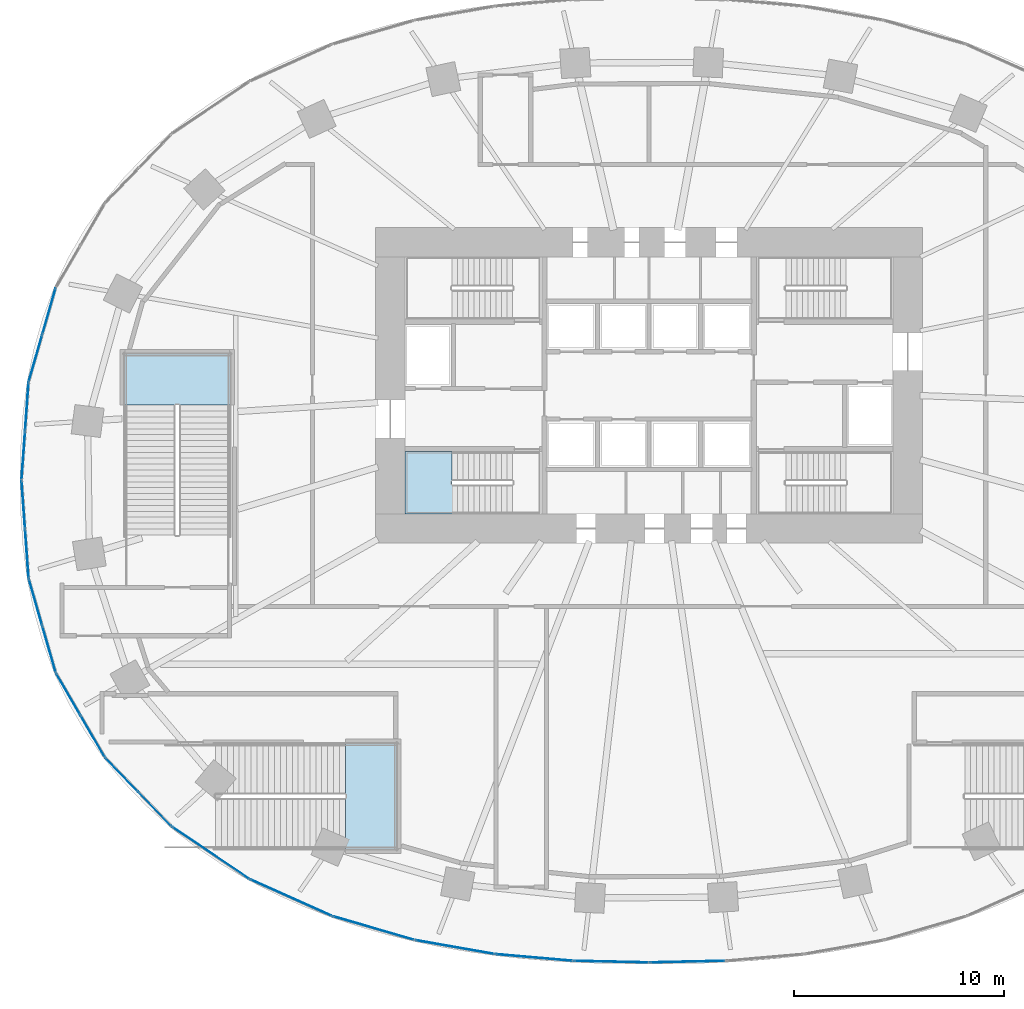
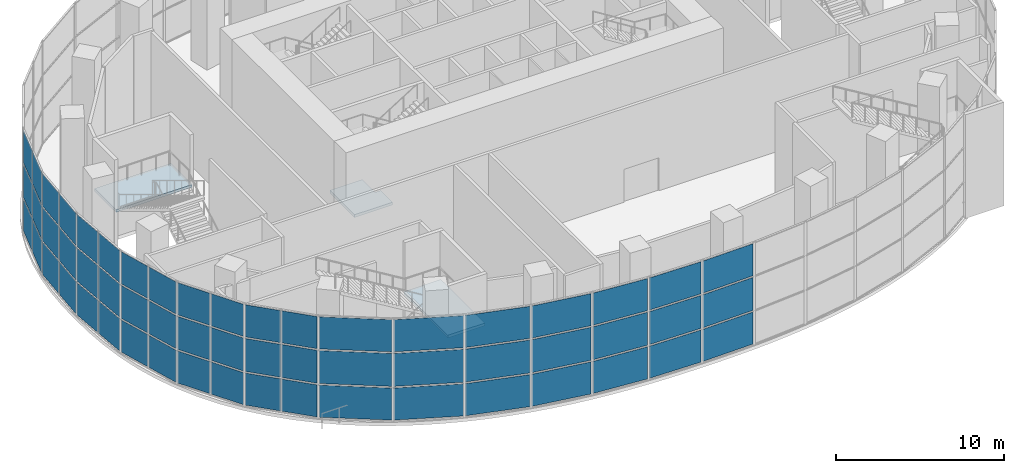
# One storey, part 10 of 22: 57 plates, 3 slabs, 16 elements without a shape of their own.
"""IFC4 building model written with IfcOpenShell, lengths in metres."""

from ifc_helpers import new_model, si_unit, direction, frame, origin, origin_2d, place, context, subcontext, project, spatial, polyline, rectangle, outline, extrude, material, layer, layer_set, type_object, element, aggregate, save


model = new_model("IFC4")

# Units and contexts
model_context = context("Model", 3, precision=1e-05, world=origin(), true_north=direction((0.0, 1.0)))
body_context = subcontext(model_context, "Body", "Model", "MODEL_VIEW")
ifc_project = project(units=[si_unit("LENGTHUNIT", "METRE"), si_unit("AREAUNIT", "SQUARE_METRE"), si_unit("VOLUMEUNIT", "CUBIC_METRE"), si_unit("PLANEANGLEUNIT", "RADIAN"), si_unit("MASSUNIT", "GRAM", prefix="KILO")], contexts=[model_context])

# Site, building, storey
site_placement = place(None, origin())
site = spatial("IfcSite", under=ifc_project, at=site_placement, CompositionType="ELEMENT")
building_placement = place(site_placement, origin())
building = spatial("IfcBuilding", under=site, at=building_placement, Name="Rubra Terraces Tower", CompositionType="ELEMENT")
storey_placement = place(building_placement, frame((0.0, 0.0, 7.199951171875)))
storey = spatial("IfcBuildingStorey", under=building, at=storey_placement, Name="L01", CompositionType="ELEMENT", Elevation=7.199951171875)

# Stair, slab
ifc_material_1 = material(Name="Concrete C40", Category="concrete")
stair_type_1 = type_object("IfcStairType", Name="Core stair 1400", PredefinedType="HALF_TURN_STAIR", material=ifc_material_1)
stair_1_placement = place(storey_placement, origin())
stair_1 = element("IfcStair", 1, at=stair_1_placement, inside=storey, type_object=stair_type_1, Name="L01 Exit stair S1", PredefinedType="HALF_TURN_STAIR")
ifc_layer_1 = layer(ifc_material_1, 0.199951171875)
ifc_layer_set_1 = layer_set([ifc_layer_1], Name="Concrete C40")
slab_type_1 = type_object("IfcSlabType", Name="Core stair landing 200", PredefinedType="LANDING", material=ifc_layer_set_1)
slab_1_placement = place(storey_placement, frame((0.0, 0.0, 1.75)))
slab_1 = element("IfcSlab", 2, at=slab_1_placement, type_object=slab_type_1, Name="S1 landing 1", PredefinedType="LANDING", context=body_context, shape_type="SweptSolid", body=[
    extrude(outline(polyline([(-8.97998046875, -0.199951171875), (-8.97998046875, -1.60009765625), (-9.360107421875, -1.60009765625), (-9.3798828125, -1.60009765625), (-11.60009765625, -1.60009765625), (-11.60009765625, 1.35009765625), (-9.3798828125, 1.35009765625), (-9.35791015625, 1.35009765625), (-9.35791015625, -0.050048828125), (-9.360107421875, -0.050048828125), (-9.360107421875, -0.199951171875), (-8.97998046875, -0.199951171875)])), origin(), (0.0, 0.0, 1.0), 0.199951171875),
])
aggregate(stair_1, [slab_1])

# Curtain wall, plates
ifc_material_2 = material(Name="Aluminium and glass", Category="aluminium")
curtain_wall_type = type_object("IfcCurtainWallType", Name="Curtain wall Podium glazing", PredefinedType="NOTDEFINED", material=ifc_material_2)
curtain_wall_1_placement = place(storey_placement, origin())
curtain_wall_1 = element("IfcCurtainWall", 3, at=curtain_wall_1_placement, inside=storey, type_object=curtain_wall_type, Name="L01 glazing bay 19", PredefinedType="NOTDEFINED")
ifc_material_3 = material(Name="Clear glass, laminated", Category="glass")
ifc_layer_2 = layer(ifc_material_3, 0.028076171875)
ifc_layer_set_2 = layer_set([ifc_layer_2], Name="Clear glass, laminated")
plate_type = type_object("IfcPlateType", Name="Podium glazing glass panel 28", PredefinedType="CURTAIN_PANEL", material=ifc_layer_set_2)
plate_1_placement = place(storey_placement, frame((-28.523681640625, 8.024169921875, 0.1201171875), z_axis=(0.0, 0.0, 1.0), x_axis=(-0.276383811798, -0.961047339404, 0.0)))
plate_1 = element("IfcPlate", 4, at=plate_1_placement, type_object=plate_type, Name="CW1 panel 1.1", PredefinedType="CURTAIN_PANEL", context=body_context, shape_type="SweptSolid", body=[
    extrude(rectangle(XDim=2.252685546875, YDim=0.028076171875, at=origin_2d()), origin(), (0.0, 0.0, 1.0), 2.336669921875),
])
plate_2_placement = place(storey_placement, frame((-28.523681640625, 8.024169921875, 2.576904296875), z_axis=(0.0, 0.0, 1.0), x_axis=(-0.276383811798, -0.961047339404, 0.0)))
plate_2 = element("IfcPlate", 5, at=plate_2_placement, type_object=plate_type, Name="CW1 panel 1.2", PredefinedType="CURTAIN_PANEL", context=body_context, shape_type="SweptSolid", body=[
    extrude(rectangle(XDim=2.252685546875, YDim=0.028076171875, at=origin_2d()), origin(), (0.0, 0.0, 1.0), 2.396484375),
])
plate_3_placement = place(storey_placement, frame((-28.523681640625, 8.024169921875, 5.09326171875), z_axis=(0.0, 0.0, 1.0), x_axis=(-0.276383811798, -0.961047339404, 0.0)))
plate_3 = element("IfcPlate", 6, at=plate_3_placement, type_object=plate_type, Name="CW1 panel 1.3", PredefinedType="CURTAIN_PANEL", context=body_context, shape_type="SweptSolid", body=[
    extrude(rectangle(XDim=2.252685546875, YDim=0.028076171875, at=origin_2d()), origin(), (0.0, 0.0, 1.0), 2.336669921875),
])
plate_4_placement = place(storey_placement, frame((-29.1630859375, 5.801513671875, 0.1201171875), z_axis=(0.0, 0.0, 1.0), x_axis=(-0.276383811798, -0.961047339404, 0.0)))
plate_4 = element("IfcPlate", 7, at=plate_4_placement, type_object=plate_type, Name="CW1 panel 2.1", PredefinedType="CURTAIN_PANEL", context=body_context, shape_type="SweptSolid", body=[
    extrude(rectangle(XDim=2.252685546875, YDim=0.028076171875, at=origin_2d()), origin(), (0.0, 0.0, 1.0), 2.336669921875),
])
plate_5_placement = place(storey_placement, frame((-29.1630859375, 5.801513671875, 2.576904296875), z_axis=(0.0, 0.0, 1.0), x_axis=(-0.276383811798, -0.961047339404, 0.0)))
plate_5 = element("IfcPlate", 8, at=plate_5_placement, type_object=plate_type, Name="CW1 panel 2.2", PredefinedType="CURTAIN_PANEL", context=body_context, shape_type="SweptSolid", body=[
    extrude(rectangle(XDim=2.252685546875, YDim=0.028076171875, at=origin_2d()), origin(), (0.0, 0.0, 1.0), 2.396484375),
])
plate_6_placement = place(storey_placement, frame((-29.1630859375, 5.801513671875, 5.09326171875), z_axis=(0.0, 0.0, 1.0), x_axis=(-0.276383811798, -0.961047339404, 0.0)))
plate_6 = element("IfcPlate", 9, at=plate_6_placement, type_object=plate_type, Name="CW1 panel 2.3", PredefinedType="CURTAIN_PANEL", context=body_context, shape_type="SweptSolid", body=[
    extrude(rectangle(XDim=2.252685546875, YDim=0.028076171875, at=origin_2d()), origin(), (0.0, 0.0, 1.0), 2.336669921875),
])
aggregate(curtain_wall_1, [plate_1, plate_2, plate_3, plate_4, plate_5, plate_6])

curtain_wall_2_placement = place(storey_placement, origin())
curtain_wall_2 = element("IfcCurtainWall", 10, at=curtain_wall_2_placement, inside=storey, type_object=curtain_wall_type, Name="L01 glazing bay 20", PredefinedType="NOTDEFINED")
plate_7_placement = place(storey_placement, frame((-29.573486328125, 3.4912109375, 0.1201171875), z_axis=(0.0, 0.0, 1.0), x_axis=(-0.071792057306, -0.997419621076, 0.0)))
plate_7 = element("IfcPlate", 11, at=plate_7_placement, type_object=plate_type, Name="CW1 panel 1.1", PredefinedType="CURTAIN_PANEL", context=body_context, shape_type="SweptSolid", body=[
    extrude(rectangle(XDim=2.257080078125, YDim=0.028076171875, at=origin_2d()), origin(), (0.0, 0.0, 1.0), 2.336669921875),
])
plate_8_placement = place(storey_placement, frame((-29.573486328125, 3.4912109375, 2.576904296875), z_axis=(0.0, 0.0, 1.0), x_axis=(-0.071792057306, -0.997419621076, 0.0)))
plate_8 = element("IfcPlate", 12, at=plate_8_placement, type_object=plate_type, Name="CW1 panel 1.2", PredefinedType="CURTAIN_PANEL", context=body_context, shape_type="SweptSolid", body=[
    extrude(rectangle(XDim=2.257080078125, YDim=0.028076171875, at=origin_2d()), origin(), (0.0, 0.0, 1.0), 2.396484375),
])
plate_9_placement = place(storey_placement, frame((-29.573486328125, 3.4912109375, 5.09326171875), z_axis=(0.0, 0.0, 1.0), x_axis=(-0.071792057306, -0.997419621076, 0.0)))
plate_9 = element("IfcPlate", 13, at=plate_9_placement, type_object=plate_type, Name="CW1 panel 1.3", PredefinedType="CURTAIN_PANEL", context=body_context, shape_type="SweptSolid", body=[
    extrude(rectangle(XDim=2.257080078125, YDim=0.028076171875, at=origin_2d()), origin(), (0.0, 0.0, 1.0), 2.336669921875),
])
plate_10_placement = place(storey_placement, frame((-29.739990234375, 1.18017578125, 0.1201171875), z_axis=(0.0, 0.0, 1.0), x_axis=(-0.071792057306, -0.997419621076, 0.0)))
plate_10 = element("IfcPlate", 14, at=plate_10_placement, type_object=plate_type, Name="CW1 panel 2.1", PredefinedType="CURTAIN_PANEL", context=body_context, shape_type="SweptSolid", body=[
    extrude(rectangle(XDim=2.257080078125, YDim=0.028076171875, at=origin_2d()), origin(), (0.0, 0.0, 1.0), 2.336669921875),
])
plate_11_placement = place(storey_placement, frame((-29.739990234375, 1.18017578125, 2.576904296875), z_axis=(0.0, 0.0, 1.0), x_axis=(-0.071792057306, -0.997419621076, 0.0)))
plate_11 = element("IfcPlate", 15, at=plate_11_placement, type_object=plate_type, Name="CW1 panel 2.2", PredefinedType="CURTAIN_PANEL", context=body_context, shape_type="SweptSolid", body=[
    extrude(rectangle(XDim=2.257080078125, YDim=0.028076171875, at=origin_2d()), origin(), (0.0, 0.0, 1.0), 2.396484375),
])
plate_12_placement = place(storey_placement, frame((-29.739990234375, 1.18017578125, 5.09326171875), z_axis=(0.0, 0.0, 1.0), x_axis=(-0.071792057306, -0.997419621076, 0.0)))
plate_12 = element("IfcPlate", 16, at=plate_12_placement, type_object=plate_type, Name="CW1 panel 2.3", PredefinedType="CURTAIN_PANEL", context=body_context, shape_type="SweptSolid", body=[
    extrude(rectangle(XDim=2.257080078125, YDim=0.028076171875, at=origin_2d()), origin(), (0.0, 0.0, 1.0), 2.336669921875),
])
aggregate(curtain_wall_2, [plate_7, plate_8, plate_9, plate_10, plate_11, plate_12])

curtain_wall_3_placement = place(storey_placement, origin())
curtain_wall_3 = element("IfcCurtainWall", 17, at=curtain_wall_3_placement, inside=storey, type_object=curtain_wall_type, Name="L01 glazing bay 21", PredefinedType="NOTDEFINED")
plate_13_placement = place(storey_placement, frame((-29.739990234375, -1.18017578125, 0.1201171875), z_axis=(0.0, 0.0, 1.0), x_axis=(0.071792057306, -0.997419621076, 0.0)))
plate_13 = element("IfcPlate", 18, at=plate_13_placement, type_object=plate_type, Name="CW1 panel 1.1", PredefinedType="CURTAIN_PANEL", context=body_context, shape_type="SweptSolid", body=[
    extrude(rectangle(XDim=2.257080078125, YDim=0.028076171875, at=origin_2d()), origin(), (0.0, 0.0, 1.0), 2.336669921875),
])
plate_14_placement = place(storey_placement, frame((-29.739990234375, -1.18017578125, 2.576904296875), z_axis=(0.0, 0.0, 1.0), x_axis=(0.071792057306, -0.997419621076, 0.0)))
plate_14 = element("IfcPlate", 19, at=plate_14_placement, type_object=plate_type, Name="CW1 panel 1.2", PredefinedType="CURTAIN_PANEL", context=body_context, shape_type="SweptSolid", body=[
    extrude(rectangle(XDim=2.257080078125, YDim=0.028076171875, at=origin_2d()), origin(), (0.0, 0.0, 1.0), 2.396484375),
])
plate_15_placement = place(storey_placement, frame((-29.739990234375, -1.18017578125, 5.09326171875), z_axis=(0.0, 0.0, 1.0), x_axis=(0.071792057306, -0.997419621076, 0.0)))
plate_15 = element("IfcPlate", 20, at=plate_15_placement, type_object=plate_type, Name="CW1 panel 1.3", PredefinedType="CURTAIN_PANEL", context=body_context, shape_type="SweptSolid", body=[
    extrude(rectangle(XDim=2.257080078125, YDim=0.028076171875, at=origin_2d()), origin(), (0.0, 0.0, 1.0), 2.336669921875),
])
plate_16_placement = place(storey_placement, frame((-29.573486328125, -3.4912109375, 0.1201171875), z_axis=(0.0, 0.0, 1.0), x_axis=(0.071792057306, -0.997419621076, 0.0)))
plate_16 = element("IfcPlate", 21, at=plate_16_placement, type_object=plate_type, Name="CW1 panel 2.1", PredefinedType="CURTAIN_PANEL", context=body_context, shape_type="SweptSolid", body=[
    extrude(rectangle(XDim=2.257080078125, YDim=0.028076171875, at=origin_2d()), origin(), (0.0, 0.0, 1.0), 2.336669921875),
])
plate_17_placement = place(storey_placement, frame((-29.573486328125, -3.4912109375, 2.576904296875), z_axis=(0.0, 0.0, 1.0), x_axis=(0.071792057306, -0.997419621076, 0.0)))
plate_17 = element("IfcPlate", 22, at=plate_17_placement, type_object=plate_type, Name="CW1 panel 2.2", PredefinedType="CURTAIN_PANEL", context=body_context, shape_type="SweptSolid", body=[
    extrude(rectangle(XDim=2.257080078125, YDim=0.028076171875, at=origin_2d()), origin(), (0.0, 0.0, 1.0), 2.396484375),
])
plate_18_placement = place(storey_placement, frame((-29.573486328125, -3.4912109375, 5.09326171875), z_axis=(0.0, 0.0, 1.0), x_axis=(0.071792057306, -0.997419621076, 0.0)))
plate_18 = element("IfcPlate", 23, at=plate_18_placement, type_object=plate_type, Name="CW1 panel 2.3", PredefinedType="CURTAIN_PANEL", context=body_context, shape_type="SweptSolid", body=[
    extrude(rectangle(XDim=2.257080078125, YDim=0.028076171875, at=origin_2d()), origin(), (0.0, 0.0, 1.0), 2.336669921875),
])
aggregate(curtain_wall_3, [plate_13, plate_14, plate_15, plate_16, plate_17, plate_18])

curtain_wall_4_placement = place(storey_placement, origin())
curtain_wall_4 = element("IfcCurtainWall", 24, at=curtain_wall_4_placement, inside=storey, type_object=curtain_wall_type, Name="L01 glazing bay 22", PredefinedType="NOTDEFINED")
plate_19_placement = place(storey_placement, frame((-29.1630859375, -5.801513671875, 0.1201171875), z_axis=(0.0, 0.0, 1.0), x_axis=(0.276383811798, -0.961047339404, 0.0)))
plate_19 = element("IfcPlate", 25, at=plate_19_placement, type_object=plate_type, Name="CW1 panel 1.1", PredefinedType="CURTAIN_PANEL", context=body_context, shape_type="SweptSolid", body=[
    extrude(rectangle(XDim=2.252685546875, YDim=0.028076171875, at=origin_2d()), origin(), (0.0, 0.0, 1.0), 2.336669921875),
])
plate_20_placement = place(storey_placement, frame((-29.1630859375, -5.801513671875, 2.576904296875), z_axis=(0.0, 0.0, 1.0), x_axis=(0.276383811798, -0.961047339404, 0.0)))
plate_20 = element("IfcPlate", 26, at=plate_20_placement, type_object=plate_type, Name="CW1 panel 1.2", PredefinedType="CURTAIN_PANEL", context=body_context, shape_type="SweptSolid", body=[
    extrude(rectangle(XDim=2.252685546875, YDim=0.028076171875, at=origin_2d()), origin(), (0.0, 0.0, 1.0), 2.396484375),
])
plate_21_placement = place(storey_placement, frame((-29.1630859375, -5.801513671875, 5.09326171875), z_axis=(0.0, 0.0, 1.0), x_axis=(0.276383811798, -0.961047339404, 0.0)))
plate_21 = element("IfcPlate", 27, at=plate_21_placement, type_object=plate_type, Name="CW1 panel 1.3", PredefinedType="CURTAIN_PANEL", context=body_context, shape_type="SweptSolid", body=[
    extrude(rectangle(XDim=2.252685546875, YDim=0.028076171875, at=origin_2d()), origin(), (0.0, 0.0, 1.0), 2.336669921875),
])
plate_22_placement = place(storey_placement, frame((-28.523681640625, -8.024169921875, 0.1201171875), z_axis=(0.0, 0.0, 1.0), x_axis=(0.276383811798, -0.961047339404, 0.0)))
plate_22 = element("IfcPlate", 28, at=plate_22_placement, type_object=plate_type, Name="CW1 panel 2.1", PredefinedType="CURTAIN_PANEL", context=body_context, shape_type="SweptSolid", body=[
    extrude(rectangle(XDim=2.252685546875, YDim=0.028076171875, at=origin_2d()), origin(), (0.0, 0.0, 1.0), 2.336669921875),
])
plate_23_placement = place(storey_placement, frame((-28.523681640625, -8.024169921875, 2.576904296875), z_axis=(0.0, 0.0, 1.0), x_axis=(0.276383811798, -0.961047339404, 0.0)))
plate_23 = element("IfcPlate", 29, at=plate_23_placement, type_object=plate_type, Name="CW1 panel 2.2", PredefinedType="CURTAIN_PANEL", context=body_context, shape_type="SweptSolid", body=[
    extrude(rectangle(XDim=2.252685546875, YDim=0.028076171875, at=origin_2d()), origin(), (0.0, 0.0, 1.0), 2.396484375),
])
plate_24_placement = place(storey_placement, frame((-28.523681640625, -8.024169921875, 5.09326171875), z_axis=(0.0, 0.0, 1.0), x_axis=(0.276383811798, -0.961047339404, 0.0)))
plate_24 = element("IfcPlate", 30, at=plate_24_placement, type_object=plate_type, Name="CW1 panel 2.3", PredefinedType="CURTAIN_PANEL", context=body_context, shape_type="SweptSolid", body=[
    extrude(rectangle(XDim=2.252685546875, YDim=0.028076171875, at=origin_2d()), origin(), (0.0, 0.0, 1.0), 2.336669921875),
])
aggregate(curtain_wall_4, [plate_19, plate_20, plate_21, plate_22, plate_23, plate_24])

curtain_wall_5_placement = place(storey_placement, origin())
curtain_wall_5 = element("IfcCurtainWall", 31, at=curtain_wall_5_placement, inside=storey, type_object=curtain_wall_type, Name="L01 glazing bay 23", PredefinedType="NOTDEFINED")
plate_25_placement = place(storey_placement, frame((-27.611083984375, -10.1669921875, 0.1201171875), z_axis=(0.0, 0.0, 1.0), x_axis=(0.502094070187, -0.864813011398, 0.0)))
plate_25 = element("IfcPlate", 32, at=plate_25_placement, type_object=plate_type, Name="CW1 panel 1.1", PredefinedType="CURTAIN_PANEL", context=body_context, shape_type="SweptSolid", body=[
    extrude(rectangle(XDim=2.23828125, YDim=0.028076171875, at=origin_2d()), origin(), (0.0, 0.0, 1.0), 2.336669921875),
])
plate_26_placement = place(storey_placement, frame((-27.611083984375, -10.1669921875, 2.576904296875), z_axis=(0.0, 0.0, 1.0), x_axis=(0.502094070187, -0.864813011398, 0.0)))
plate_26 = element("IfcPlate", 33, at=plate_26_placement, type_object=plate_type, Name="CW1 panel 1.2", PredefinedType="CURTAIN_PANEL", context=body_context, shape_type="SweptSolid", body=[
    extrude(rectangle(XDim=2.23828125, YDim=0.028076171875, at=origin_2d()), origin(), (0.0, 0.0, 1.0), 2.396484375),
])
plate_27_placement = place(storey_placement, frame((-27.611083984375, -10.1669921875, 5.09326171875), z_axis=(0.0, 0.0, 1.0), x_axis=(0.502094070187, -0.864813011398, 0.0)))
plate_27 = element("IfcPlate", 34, at=plate_27_placement, type_object=plate_type, Name="CW1 panel 1.3", PredefinedType="CURTAIN_PANEL", context=body_context, shape_type="SweptSolid", body=[
    extrude(rectangle(XDim=2.23828125, YDim=0.028076171875, at=origin_2d()), origin(), (0.0, 0.0, 1.0), 2.336669921875),
])
plate_28_placement = place(storey_placement, frame((-26.45703125, -12.154541015625, 0.1201171875), z_axis=(0.0, 0.0, 1.0), x_axis=(0.502094070187, -0.864813011398, 0.0)))
plate_28 = element("IfcPlate", 35, at=plate_28_placement, type_object=plate_type, Name="CW1 panel 2.1", PredefinedType="CURTAIN_PANEL", context=body_context, shape_type="SweptSolid", body=[
    extrude(rectangle(XDim=2.23828125, YDim=0.028076171875, at=origin_2d()), origin(), (0.0, 0.0, 1.0), 2.336669921875),
])
plate_29_placement = place(storey_placement, frame((-26.45703125, -12.154541015625, 2.576904296875), z_axis=(0.0, 0.0, 1.0), x_axis=(0.502094070187, -0.864813011398, 0.0)))
plate_29 = element("IfcPlate", 36, at=plate_29_placement, type_object=plate_type, Name="CW1 panel 2.2", PredefinedType="CURTAIN_PANEL", context=body_context, shape_type="SweptSolid", body=[
    extrude(rectangle(XDim=2.23828125, YDim=0.028076171875, at=origin_2d()), origin(), (0.0, 0.0, 1.0), 2.396484375),
])
plate_30_placement = place(storey_placement, frame((-26.45703125, -12.154541015625, 5.09326171875), z_axis=(0.0, 0.0, 1.0), x_axis=(0.502094070187, -0.864813011398, 0.0)))
plate_30 = element("IfcPlate", 37, at=plate_30_placement, type_object=plate_type, Name="CW1 panel 2.3", PredefinedType="CURTAIN_PANEL", context=body_context, shape_type="SweptSolid", body=[
    extrude(rectangle(XDim=2.23828125, YDim=0.028076171875, at=origin_2d()), origin(), (0.0, 0.0, 1.0), 2.336669921875),
])
aggregate(curtain_wall_5, [plate_25, plate_26, plate_27, plate_28, plate_29, plate_30])

curtain_wall_6_placement = place(storey_placement, origin())
curtain_wall_6 = element("IfcCurtainWall", 38, at=curtain_wall_6_placement, inside=storey, type_object=curtain_wall_type, Name="L01 glazing bay 24", PredefinedType="NOTDEFINED")
plate_31_placement = place(storey_placement, frame((-25.06787109375, -13.998046875, 0.1201171875), z_axis=(0.0, 0.0, 1.0), x_axis=(0.69415569917, -0.71982488517, 0.0)))
plate_31 = element("IfcPlate", 39, at=plate_31_placement, type_object=plate_type, Name="CW1 panel 1.1", PredefinedType="CURTAIN_PANEL", context=body_context, shape_type="SweptSolid", body=[
    extrude(rectangle(XDim=2.20849609375, YDim=0.028076171875, at=origin_2d()), origin(), (0.0, 0.0, 1.0), 2.336669921875),
])
plate_32_placement = place(storey_placement, frame((-25.06787109375, -13.998046875, 2.576904296875), z_axis=(0.0, 0.0, 1.0), x_axis=(0.69415569917, -0.71982488517, 0.0)))
plate_32 = element("IfcPlate", 40, at=plate_32_placement, type_object=plate_type, Name="CW1 panel 1.2", PredefinedType="CURTAIN_PANEL", context=body_context, shape_type="SweptSolid", body=[
    extrude(rectangle(XDim=2.20849609375, YDim=0.028076171875, at=origin_2d()), origin(), (0.0, 0.0, 1.0), 2.396484375),
])
plate_33_placement = place(storey_placement, frame((-25.06787109375, -13.998046875, 5.09326171875), z_axis=(0.0, 0.0, 1.0), x_axis=(0.69415569917, -0.71982488517, 0.0)))
plate_33 = element("IfcPlate", 41, at=plate_33_placement, type_object=plate_type, Name="CW1 panel 1.3", PredefinedType="CURTAIN_PANEL", context=body_context, shape_type="SweptSolid", body=[
    extrude(rectangle(XDim=2.20849609375, YDim=0.028076171875, at=origin_2d()), origin(), (0.0, 0.0, 1.0), 2.336669921875),
])
plate_34_placement = place(storey_placement, frame((-23.4931640625, -15.630859375, 0.1201171875), z_axis=(0.0, 0.0, 1.0), x_axis=(0.69415569917, -0.71982488517, 0.0)))
plate_34 = element("IfcPlate", 42, at=plate_34_placement, type_object=plate_type, Name="CW1 panel 2.1", PredefinedType="CURTAIN_PANEL", context=body_context, shape_type="SweptSolid", body=[
    extrude(rectangle(XDim=2.20849609375, YDim=0.028076171875, at=origin_2d()), origin(), (0.0, 0.0, 1.0), 2.336669921875),
])
plate_35_placement = place(storey_placement, frame((-23.4931640625, -15.630859375, 2.576904296875), z_axis=(0.0, 0.0, 1.0), x_axis=(0.69415569917, -0.71982488517, 0.0)))
plate_35 = element("IfcPlate", 43, at=plate_35_placement, type_object=plate_type, Name="CW1 panel 2.2", PredefinedType="CURTAIN_PANEL", context=body_context, shape_type="SweptSolid", body=[
    extrude(rectangle(XDim=2.20849609375, YDim=0.028076171875, at=origin_2d()), origin(), (0.0, 0.0, 1.0), 2.396484375),
])
plate_36_placement = place(storey_placement, frame((-23.4931640625, -15.630859375, 5.09326171875), z_axis=(0.0, 0.0, 1.0), x_axis=(0.69415569917, -0.71982488517, 0.0)))
plate_36 = element("IfcPlate", 44, at=plate_36_placement, type_object=plate_type, Name="CW1 panel 2.3", PredefinedType="CURTAIN_PANEL", context=body_context, shape_type="SweptSolid", body=[
    extrude(rectangle(XDim=2.20849609375, YDim=0.028076171875, at=origin_2d()), origin(), (0.0, 0.0, 1.0), 2.336669921875),
])
aggregate(curtain_wall_6, [plate_31, plate_32, plate_33, plate_34, plate_35, plate_36])

curtain_wall_7_placement = place(storey_placement, origin())
curtain_wall_7 = element("IfcCurtainWall", 45, at=curtain_wall_7_placement, inside=storey, type_object=curtain_wall_type, Name="L01 glazing bay 25", PredefinedType="NOTDEFINED")
plate_37_placement = place(storey_placement, frame((-20.840576171875, -17.711181640625, 0.1201171875), z_axis=(0.0, 0.0, 1.0), x_axis=(0.828980654031, -0.55927727939, 0.0)))
plate_37 = element("IfcPlate", 46, at=plate_37_placement, type_object=plate_type, Name="CW1 panel 1.1", PredefinedType="CURTAIN_PANEL", context=body_context, shape_type="SweptSolid", body=[
    extrude(rectangle(XDim=4.35888671875, YDim=0.028076171875, at=origin_2d()), origin(), (0.0, 0.0, 1.0), 2.336669921875),
])
plate_38_placement = place(storey_placement, frame((-20.840576171875, -17.711181640625, 2.576904296875), z_axis=(0.0, 0.0, 1.0), x_axis=(0.828980654031, -0.55927727939, 0.0)))
plate_38 = element("IfcPlate", 47, at=plate_38_placement, type_object=plate_type, Name="CW1 panel 1.2", PredefinedType="CURTAIN_PANEL", context=body_context, shape_type="SweptSolid", body=[
    extrude(rectangle(XDim=4.35888671875, YDim=0.028076171875, at=origin_2d()), origin(), (0.0, 0.0, 1.0), 2.396484375),
])
plate_39_placement = place(storey_placement, frame((-20.840576171875, -17.711181640625, 5.09326171875), z_axis=(0.0, 0.0, 1.0), x_axis=(0.828980654031, -0.55927727939, 0.0)))
plate_39 = element("IfcPlate", 48, at=plate_39_placement, type_object=plate_type, Name="CW1 panel 1.3", PredefinedType="CURTAIN_PANEL", context=body_context, shape_type="SweptSolid", body=[
    extrude(rectangle(XDim=4.35888671875, YDim=0.028076171875, at=origin_2d()), origin(), (0.0, 0.0, 1.0), 2.336669921875),
])
aggregate(curtain_wall_7, [plate_37, plate_38, plate_39])

curtain_wall_8_placement = place(storey_placement, origin())
curtain_wall_8 = element("IfcCurtainWall", 49, at=curtain_wall_8_placement, inside=storey, type_object=curtain_wall_type, Name="L01 glazing bay 26", PredefinedType="NOTDEFINED")
plate_40_placement = place(storey_placement, frame((-17.03271484375, -19.837158203125, 0.1201171875), z_axis=(0.0, 0.0, 1.0), x_axis=(0.912551215254, -0.4089624427, 0.0)))
plate_40 = element("IfcPlate", 50, at=plate_40_placement, type_object=plate_type, Name="CW1 panel 1.1", PredefinedType="CURTAIN_PANEL", context=body_context, shape_type="SweptSolid", body=[
    extrude(rectangle(XDim=4.18115234375, YDim=0.028076171875, at=origin_2d()), origin(), (0.0, 0.0, 1.0), 2.336669921875),
])
plate_41_placement = place(storey_placement, frame((-17.03271484375, -19.837158203125, 2.576904296875), z_axis=(0.0, 0.0, 1.0), x_axis=(0.912551215254, -0.4089624427, 0.0)))
plate_41 = element("IfcPlate", 51, at=plate_41_placement, type_object=plate_type, Name="CW1 panel 1.2", PredefinedType="CURTAIN_PANEL", context=body_context, shape_type="SweptSolid", body=[
    extrude(rectangle(XDim=4.18115234375, YDim=0.028076171875, at=origin_2d()), origin(), (0.0, 0.0, 1.0), 2.396484375),
])
plate_42_placement = place(storey_placement, frame((-17.03271484375, -19.837158203125, 5.09326171875), z_axis=(0.0, 0.0, 1.0), x_axis=(0.912551215254, -0.4089624427, 0.0)))
plate_42 = element("IfcPlate", 52, at=plate_42_placement, type_object=plate_type, Name="CW1 panel 1.3", PredefinedType="CURTAIN_PANEL", context=body_context, shape_type="SweptSolid", body=[
    extrude(rectangle(XDim=4.18115234375, YDim=0.028076171875, at=origin_2d()), origin(), (0.0, 0.0, 1.0), 2.336669921875),
])
aggregate(curtain_wall_8, [plate_40, plate_41, plate_42])

curtain_wall_9_placement = place(storey_placement, origin())
curtain_wall_9 = element("IfcCurtainWall", 53, at=curtain_wall_9_placement, inside=storey, type_object=curtain_wall_type, Name="L01 glazing bay 27", PredefinedType="NOTDEFINED")
plate_43_placement = place(storey_placement, frame((-13.115966796875, -21.284423828125, 0.1201171875), z_axis=(0.0, 0.0, 1.0), x_axis=(0.96017502931, -0.279399200229, 0.0)))
plate_43 = element("IfcPlate", 54, at=plate_43_placement, type_object=plate_type, Name="CW1 panel 1.1", PredefinedType="CURTAIN_PANEL", context=body_context, shape_type="SweptSolid", body=[
    extrude(rectangle(XDim=3.970947265625, YDim=0.028076171875, at=origin_2d()), origin(), (0.0, 0.0, 1.0), 2.336669921875),
])
plate_44_placement = place(storey_placement, frame((-13.115966796875, -21.284423828125, 2.576904296875), z_axis=(0.0, 0.0, 1.0), x_axis=(0.96017502931, -0.279399200229, 0.0)))
plate_44 = element("IfcPlate", 55, at=plate_44_placement, type_object=plate_type, Name="CW1 panel 1.2", PredefinedType="CURTAIN_PANEL", context=body_context, shape_type="SweptSolid", body=[
    extrude(rectangle(XDim=3.970947265625, YDim=0.028076171875, at=origin_2d()), origin(), (0.0, 0.0, 1.0), 2.396484375),
])
plate_45_placement = place(storey_placement, frame((-13.115966796875, -21.284423828125, 5.09326171875), z_axis=(0.0, 0.0, 1.0), x_axis=(0.96017502931, -0.279399200229, 0.0)))
plate_45 = element("IfcPlate", 56, at=plate_45_placement, type_object=plate_type, Name="CW1 panel 1.3", PredefinedType="CURTAIN_PANEL", context=body_context, shape_type="SweptSolid", body=[
    extrude(rectangle(XDim=3.970947265625, YDim=0.028076171875, at=origin_2d()), origin(), (0.0, 0.0, 1.0), 2.336669921875),
])
aggregate(curtain_wall_9, [plate_43, plate_44, plate_45])

curtain_wall_10_placement = place(storey_placement, origin())
curtain_wall_10 = element("IfcCurtainWall", 57, at=curtain_wall_10_placement, inside=storey, type_object=curtain_wall_type, Name="L01 glazing bay 28", PredefinedType="NOTDEFINED")
plate_46_placement = place(storey_placement, frame((-9.2451171875, -22.190185546875, 0.1201171875), z_axis=(0.0, 0.0, 1.0), x_axis=(0.984953952909, -0.172816985997, 0.0)))
plate_46 = element("IfcPlate", 58, at=plate_46_placement, type_object=plate_type, Name="CW1 panel 1.1", PredefinedType="CURTAIN_PANEL", context=body_context, shape_type="SweptSolid", body=[
    extrude(rectangle(XDim=3.7685546875, YDim=0.028076171875, at=origin_2d()), origin(), (0.0, 0.0, 1.0), 2.336669921875),
])
plate_47_placement = place(storey_placement, frame((-9.2451171875, -22.190185546875, 2.576904296875), z_axis=(0.0, 0.0, 1.0), x_axis=(0.984953952909, -0.172816985997, 0.0)))
plate_47 = element("IfcPlate", 59, at=plate_47_placement, type_object=plate_type, Name="CW1 panel 1.2", PredefinedType="CURTAIN_PANEL", context=body_context, shape_type="SweptSolid", body=[
    extrude(rectangle(XDim=3.7685546875, YDim=0.028076171875, at=origin_2d()), origin(), (0.0, 0.0, 1.0), 2.396484375),
])
plate_48_placement = place(storey_placement, frame((-9.2451171875, -22.190185546875, 5.09326171875), z_axis=(0.0, 0.0, 1.0), x_axis=(0.984953952909, -0.172816985997, 0.0)))
plate_48 = element("IfcPlate", 60, at=plate_48_placement, type_object=plate_type, Name="CW1 panel 1.3", PredefinedType="CURTAIN_PANEL", context=body_context, shape_type="SweptSolid", body=[
    extrude(rectangle(XDim=3.7685546875, YDim=0.028076171875, at=origin_2d()), origin(), (0.0, 0.0, 1.0), 2.336669921875),
])
aggregate(curtain_wall_10, [plate_46, plate_47, plate_48])

curtain_wall_11_placement = place(storey_placement, origin())
curtain_wall_11 = element("IfcCurtainWall", 61, at=curtain_wall_11_placement, inside=storey, type_object=curtain_wall_type, Name="L01 glazing bay 29", PredefinedType="NOTDEFINED")
plate_49_placement = place(storey_placement, frame((-5.47998046875, -22.686279296875, 0.1201171875), z_axis=(0.0, 0.0, 1.0), x_axis=(0.996260697637, -0.08639804595, 0.0)))
plate_49 = element("IfcPlate", 62, at=plate_49_placement, type_object=plate_type, Name="CW1 panel 1.1", PredefinedType="CURTAIN_PANEL", context=body_context, shape_type="SweptSolid", body=[
    extrude(rectangle(XDim=3.60693359375, YDim=0.028076171875, at=origin_2d()), origin(), (0.0, 0.0, 1.0), 2.336669921875),
])
plate_50_placement = place(storey_placement, frame((-5.47998046875, -22.686279296875, 2.576904296875), z_axis=(0.0, 0.0, 1.0), x_axis=(0.996260697637, -0.08639804595, 0.0)))
plate_50 = element("IfcPlate", 63, at=plate_50_placement, type_object=plate_type, Name="CW1 panel 1.2", PredefinedType="CURTAIN_PANEL", context=body_context, shape_type="SweptSolid", body=[
    extrude(rectangle(XDim=3.60693359375, YDim=0.028076171875, at=origin_2d()), origin(), (0.0, 0.0, 1.0), 2.396484375),
])
plate_51_placement = place(storey_placement, frame((-5.47998046875, -22.686279296875, 5.09326171875), z_axis=(0.0, 0.0, 1.0), x_axis=(0.996260697637, -0.08639804595, 0.0)))
plate_51 = element("IfcPlate", 64, at=plate_51_placement, type_object=plate_type, Name="CW1 panel 1.3", PredefinedType="CURTAIN_PANEL", context=body_context, shape_type="SweptSolid", body=[
    extrude(rectangle(XDim=3.60693359375, YDim=0.028076171875, at=origin_2d()), origin(), (0.0, 0.0, 1.0), 2.336669921875),
])
aggregate(curtain_wall_11, [plate_49, plate_50, plate_51])

curtain_wall_12_placement = place(storey_placement, origin())
curtain_wall_12 = element("IfcCurtainWall", 65, at=curtain_wall_12_placement, inside=storey, type_object=curtain_wall_type, Name="L01 glazing bay 30", PredefinedType="NOTDEFINED")
plate_52_placement = place(storey_placement, frame((-1.8134765625, -22.885986328125, 0.1201171875), z_axis=(0.0, 0.0, 1.0), x_axis=(0.999769221365, -0.021482644428, 0.0)))
plate_52 = element("IfcPlate", 66, at=plate_52_placement, type_object=plate_type, Name="CW1 panel 1.1", PredefinedType="CURTAIN_PANEL", context=body_context, shape_type="SweptSolid", body=[
    extrude(rectangle(XDim=3.5107421875, YDim=0.028076171875, at=origin_2d()), origin(), (0.0, 0.0, 1.0), 2.336669921875),
])
plate_53_placement = place(storey_placement, frame((-1.8134765625, -22.885986328125, 2.576904296875), z_axis=(0.0, 0.0, 1.0), x_axis=(0.999769221365, -0.021482644428, 0.0)))
plate_53 = element("IfcPlate", 67, at=plate_53_placement, type_object=plate_type, Name="CW1 panel 1.2", PredefinedType="CURTAIN_PANEL", context=body_context, shape_type="SweptSolid", body=[
    extrude(rectangle(XDim=3.5107421875, YDim=0.028076171875, at=origin_2d()), origin(), (0.0, 0.0, 1.0), 2.396484375),
])
plate_54_placement = place(storey_placement, frame((-1.8134765625, -22.885986328125, 5.09326171875), z_axis=(0.0, 0.0, 1.0), x_axis=(0.999769221365, -0.021482644428, 0.0)))
plate_54 = element("IfcPlate", 68, at=plate_54_placement, type_object=plate_type, Name="CW1 panel 1.3", PredefinedType="CURTAIN_PANEL", context=body_context, shape_type="SweptSolid", body=[
    extrude(rectangle(XDim=3.5107421875, YDim=0.028076171875, at=origin_2d()), origin(), (0.0, 0.0, 1.0), 2.336669921875),
])
aggregate(curtain_wall_12, [plate_52, plate_53, plate_54])

curtain_wall_13_placement = place(storey_placement, origin())
curtain_wall_13 = element("IfcCurtainWall", 69, at=curtain_wall_13_placement, inside=storey, type_object=curtain_wall_type, Name="L01 glazing bay 31", PredefinedType="NOTDEFINED")
plate_55_placement = place(storey_placement, frame((1.8134765625, -22.885986328125, 0.1201171875), z_axis=(0.0, 0.0, 1.0), x_axis=(0.999769221365, 0.021482644428, 0.0)))
plate_55 = element("IfcPlate", 70, at=plate_55_placement, type_object=plate_type, Name="CW1 panel 1.1", PredefinedType="CURTAIN_PANEL", context=body_context, shape_type="SweptSolid", body=[
    extrude(rectangle(XDim=3.5107421875, YDim=0.028076171875, at=origin_2d()), origin(), (0.0, 0.0, 1.0), 2.336669921875),
])
plate_56_placement = place(storey_placement, frame((1.8134765625, -22.885986328125, 2.576904296875), z_axis=(0.0, 0.0, 1.0), x_axis=(0.999769221365, 0.021482644428, 0.0)))
plate_56 = element("IfcPlate", 71, at=plate_56_placement, type_object=plate_type, Name="CW1 panel 1.2", PredefinedType="CURTAIN_PANEL", context=body_context, shape_type="SweptSolid", body=[
    extrude(rectangle(XDim=3.5107421875, YDim=0.028076171875, at=origin_2d()), origin(), (0.0, 0.0, 1.0), 2.396484375),
])
plate_57_placement = place(storey_placement, frame((1.8134765625, -22.885986328125, 5.09326171875), z_axis=(0.0, 0.0, 1.0), x_axis=(0.999769221365, 0.021482644428, 0.0)))
plate_57 = element("IfcPlate", 72, at=plate_57_placement, type_object=plate_type, Name="CW1 panel 1.3", PredefinedType="CURTAIN_PANEL", context=body_context, shape_type="SweptSolid", body=[
    extrude(rectangle(XDim=3.5107421875, YDim=0.028076171875, at=origin_2d()), origin(), (0.0, 0.0, 1.0), 2.336669921875),
])
aggregate(curtain_wall_13, [plate_55, plate_56, plate_57])

# Stair, slab
ifc_material_4 = material(Name="Concrete C40/50", Category="concrete")
stair_type_2 = type_object("IfcStairType", Name="Public stair", PredefinedType="HALF_TURN_STAIR", material=ifc_material_4)
stair_2_placement = place(storey_placement, origin())
stair_2 = element("IfcStair", 73, at=stair_2_placement, inside=storey, type_object=stair_type_2, Name="L01 public stair PS1", PredefinedType="HALF_TURN_STAIR")
ifc_layer_3 = layer(ifc_material_4, 0.199951171875)
ifc_layer_set_3 = layer_set([ifc_layer_3], Name="Concrete C40/50")
slab_type_2 = type_object("IfcSlabType", Name="Public stair landing 200", PredefinedType="LANDING", material=ifc_layer_set_3)
slab_2_placement = place(storey_placement, frame((0.0, 0.0, 3.699951171875)))
slab_2 = element("IfcSlab", 74, at=slab_2_placement, type_object=slab_type_2, Name="PS1 landing 1", PredefinedType="LANDING", context=body_context, shape_type="SweptSolid", body=[
    extrude(outline(polyline([(-25.050048828125, 3.56005859375), (-19.800048828125, 3.56005859375), (-19.800048828125, 6.110107421875), (-25.050048828125, 6.110107421875), (-25.050048828125, 3.56005859375)])), origin(), (0.0, 0.0, 1.0), 0.2001953125),
])
aggregate(stair_2, [slab_2])

stair_3_placement = place(storey_placement, origin())
stair_3 = element("IfcStair", 75, at=stair_3_placement, inside=storey, type_object=stair_type_2, Name="L01 public stair PS3", PredefinedType="HALF_TURN_STAIR")
slab_3_placement = place(storey_placement, frame((0.0, 0.0, 3.699951171875)))
slab_3 = element("IfcSlab", 76, at=slab_3_placement, type_object=slab_type_2, Name="PS3 landing 1", PredefinedType="LANDING", context=body_context, shape_type="SweptSolid", body=[
    extrude(outline(polyline([(-14.43994140625, -17.64990234375), (-11.889892578125, -17.64990234375), (-11.889892578125, -12.39990234375), (-14.43994140625, -12.39990234375), (-14.43994140625, -17.64990234375)])), origin(), (0.0, 0.0, 1.0), 0.2001953125),
])
aggregate(stair_3, [slab_3])

save(model, "model.ifc")
